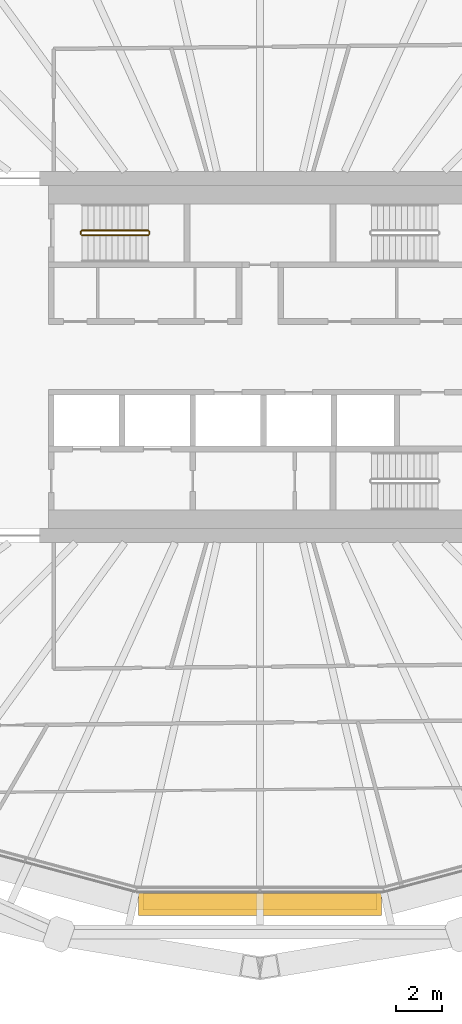
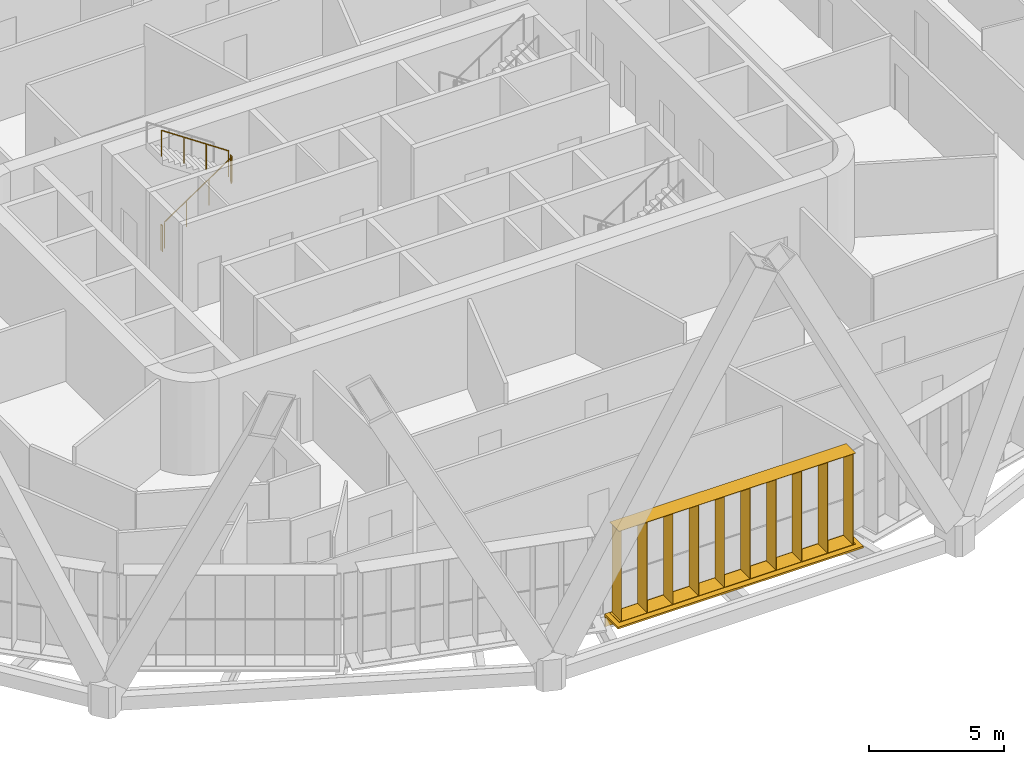
# One storey, part 21 of 25: 4 railings, 2 shading devices.
"""IFC4 building model written with IfcOpenShell, lengths in metres."""

from ifc_helpers import new_model, si_unit, direction, frame, origin, origin_2d, place, context, subcontext, project, spatial, rectangle, circle, extrude, material, type_object, element, save


model = new_model("IFC4")

# Units and contexts
model_context = context("Model", 3, precision=1e-05, world=origin(), true_north=direction((0.0, 1.0)))
body_context = subcontext(model_context, "Body", "Model", "MODEL_VIEW")
ifc_project = project(units=[si_unit("LENGTHUNIT", "METRE"), si_unit("AREAUNIT", "SQUARE_METRE"), si_unit("VOLUMEUNIT", "CUBIC_METRE"), si_unit("PLANEANGLEUNIT", "RADIAN"), si_unit("MASSUNIT", "GRAM", prefix="KILO")], contexts=[model_context])

# Site, building, storey
site_placement = place(None, origin())
site = spatial("IfcSite", under=ifc_project, at=site_placement, CompositionType="ELEMENT")
building_placement = place(site_placement, origin())
building = spatial("IfcBuilding", under=site, at=building_placement, Name="Sahrelin Media Tower", CompositionType="ELEMENT")
storey_placement = place(building_placement, frame((0.0, 0.0, 63.0)))
storey = spatial("IfcBuildingStorey", under=building, at=storey_placement, Name="L10", CompositionType="ELEMENT", Elevation=63.0)

# Shading device
ifc_material_1 = material(Name="Champagne anodised aluminium 6063-T6", Category="aluminium")
shading_device_type_1 = type_object("IfcShadingDeviceType", Name="Fin cassette", PredefinedType="USERDEFINED", material=ifc_material_1)
placement = place(storey_placement, frame((0.0, -23.077392578125, 0.0), z_axis=(0.0, 0.0, 1.0), x_axis=(-1.0, 0.0, 0.0)))
element("IfcShadingDevice", 1, at=placement, inside=storey, type_object=shading_device_type_1, Name="L10:FIN:L10-18", ObjectType="FIN", PredefinedType="USERDEFINED", context=body_context, shape_type="SweptSolid", body=[
    extrude(rectangle(XDim=10.10009765625, YDim=0.699951171875, at=origin_2d()), frame((0.0, 0.419921875, 0.0)), (0.0, 0.0, 1.0), 0.02001953125),
    extrude(rectangle(XDim=10.10009765625, YDim=0.699951171875, at=origin_2d()), frame((0.0, 0.419921875, 4.10009765625)), (0.0, 0.0, 1.0), 0.02001953125),
    extrude(rectangle(XDim=0.02001953125, YDim=0.699951171875, at=origin_2d()), frame((-4.949951171875, 0.419921875, 0.010009765625), z_axis=(0.0, 0.0, 1.0), x_axis=(1.0, 0.0, 0.0)), (0.0, 0.0, 1.0), 4.10009765625),
    extrude(rectangle(XDim=0.02001953125, YDim=0.699951171875, at=origin_2d()), frame((-3.85009765625, 0.419921875, 0.010009765625), z_axis=(0.0, 0.0, 1.0), x_axis=(1.0, 0.0, 0.0)), (0.0, 0.0, 1.0), 4.10009765625),
    extrude(rectangle(XDim=0.02001953125, YDim=0.699951171875, at=origin_2d()), frame((-2.75, 0.419921875, 0.010009765625), z_axis=(0.0, 0.0, 1.0), x_axis=(1.0, 0.0, 0.0)), (0.0, 0.0, 1.0), 4.10009765625),
    extrude(rectangle(XDim=0.02001953125, YDim=0.699951171875, at=origin_2d()), frame((-1.64990234375, 0.419921875, 0.010009765625), z_axis=(0.0, 0.0, 1.0), x_axis=(1.0, 0.0, 0.0)), (0.0, 0.0, 1.0), 4.10009765625),
    extrude(rectangle(XDim=0.02001953125, YDim=0.699951171875, at=origin_2d()), frame((-0.550048828125, 0.419921875, 0.010009765625), z_axis=(0.0, 0.0, 1.0), x_axis=(1.0, 0.0, 0.0)), (0.0, 0.0, 1.0), 4.10009765625),
    extrude(rectangle(XDim=0.02001953125, YDim=0.699951171875, at=origin_2d()), frame((0.550048828125, 0.419921875, 0.010009765625), z_axis=(0.0, 0.0, 1.0), x_axis=(1.0, 0.0, 0.0)), (0.0, 0.0, 1.0), 4.10009765625),
    extrude(rectangle(XDim=0.02001953125, YDim=0.699951171875, at=origin_2d()), frame((1.64990234375, 0.419921875, 0.010009765625), z_axis=(0.0, 0.0, 1.0), x_axis=(1.0, 0.0, 0.0)), (0.0, 0.0, 1.0), 4.10009765625),
    extrude(rectangle(XDim=0.02001953125, YDim=0.699951171875, at=origin_2d()), frame((2.75, 0.419921875, 0.010009765625), z_axis=(0.0, 0.0, 1.0), x_axis=(1.0, 0.0, 0.0)), (0.0, 0.0, 1.0), 4.10009765625),
    extrude(rectangle(XDim=0.02001953125, YDim=0.699951171875, at=origin_2d()), frame((3.85009765625, 0.419921875, 0.010009765625), z_axis=(0.0, 0.0, 1.0), x_axis=(1.0, 0.0, 0.0)), (0.0, 0.0, 1.0), 4.10009765625),
    extrude(rectangle(XDim=0.02001953125, YDim=0.699951171875, at=origin_2d()), frame((4.949951171875, 0.419921875, 0.010009765625), z_axis=(0.0, 0.0, 1.0), x_axis=(1.0, 0.0, 0.0)), (0.0, 0.0, 1.0), 4.10009765625),
])

# Railings
ifc_material_2 = material(Name="Steel S355", Category="steel")
railing_type = type_object("IfcRailingType", Name="Stair guard 1200", PredefinedType="GUARDRAIL", material=ifc_material_2)
railing_1_placement = place(storey_placement, frame((-7.675048828125, 5.25, 0.175048828125)))
element("IfcRailing", 2, at=railing_1_placement, inside=storey, type_object=railing_type, Name="L10 ST1 stair guard 1", PredefinedType="GUARDRAIL", context=body_context, shape_type="SweptSolid", body=[
    extrude(circle(Radius=0.02392578125, at=origin_2d()), frame((0.0, 0.0, 1.17578125), z_axis=(0.829590901723, 0.0, 0.558371682465), x_axis=(0.0, 1.0, 0.0)), (0.0, 0.0, 1.0), 3.447509765625),
    extrude(circle(Radius=0.02099609375, at=origin_2d()), origin(), (0.0, 0.0, 1.0), 1.15185546875),
    extrude(circle(Radius=0.02099609375, at=origin_2d()), frame((0.953369140625, 0.0, 0.6416015625)), (0.0, 0.0, 1.0), 1.15185546875),
    extrude(circle(Radius=0.02099609375, at=origin_2d()), frame((1.90673828125, 0.0, 1.283447265625)), (0.0, 0.0, 1.0), 1.15185546875),
    extrude(circle(Radius=0.02099609375, at=origin_2d()), frame((2.860107421875, 0.0, 1.925048828125)), (0.0, 0.0, 1.0), 1.15185546875),
])
railing_2_placement = place(storey_placement, frame((-4.764892578125, 5.300048828125, 2.10009765625)))
element("IfcRailing", 3, at=railing_2_placement, inside=storey, type_object=railing_type, Name="L10 ST1 stair guard 2", PredefinedType="GUARDRAIL", context=body_context, shape_type="SweptSolid", body=[
    extrude(circle(Radius=0.02392578125, at=origin_2d()), frame((0.0, 0.0, 1.17578125), z_axis=(0.0, 1.0, 0.0), x_axis=(-1.0, 0.0, 0.0)), (0.0, 0.0, 1.0), 0.099853515625),
    extrude(circle(Radius=0.02099609375, at=origin_2d()), origin(), (0.0, 0.0, 1.0), 1.15185546875),
    extrude(circle(Radius=0.02099609375, at=origin_2d()), frame((0.0, 0.099853515625, 0.0)), (0.0, 0.0, 1.0), 1.15185546875),
])
railing_3_placement = place(storey_placement, frame((-4.81494140625, 5.449951171875, 2.27490234375)))
element("IfcRailing", 4, at=railing_3_placement, inside=storey, type_object=railing_type, Name="L10 ST1 stair guard 3", PredefinedType="GUARDRAIL", context=body_context, shape_type="SweptSolid", body=[
    extrude(circle(Radius=0.02392578125, at=origin_2d()), frame((0.0, 0.0, 1.17578125), z_axis=(-0.829590901723, 0.0, 0.558371682465), x_axis=(0.0, -1.0, 0.0)), (0.0, 0.0, 1.0), 3.447509765625),
    extrude(circle(Radius=0.02099609375, at=origin_2d()), origin(), (0.0, 0.0, 1.0), 1.15185546875),
    extrude(circle(Radius=0.02099609375, at=origin_2d()), frame((-0.953369140625, 0.0, 0.6416015625)), (0.0, 0.0, 1.0), 1.15185546875),
    extrude(circle(Radius=0.02099609375, at=origin_2d()), frame((-1.90673828125, 0.0, 1.283447265625)), (0.0, 0.0, 1.0), 1.15185546875),
    extrude(circle(Radius=0.02099609375, at=origin_2d()), frame((-2.860107421875, 0.0, 1.925048828125)), (0.0, 0.0, 1.0), 1.15185546875),
])
railing_4_placement = place(storey_placement, frame((-7.72509765625, 5.300048828125, 0.0)))
element("IfcRailing", 5, at=railing_4_placement, inside=storey, type_object=railing_type, Name="L10 ST1 stair guard 4", PredefinedType="GUARDRAIL", context=body_context, shape_type="SweptSolid", body=[
    extrude(circle(Radius=0.02392578125, at=origin_2d()), frame((0.0, 0.0, 1.17578125), z_axis=(0.0, 1.0, 0.0), x_axis=(-1.0, 0.0, 0.0)), (0.0, 0.0, 1.0), 0.099853515625),
    extrude(circle(Radius=0.02099609375, at=origin_2d()), origin(), (0.0, 0.0, 1.0), 1.15185546875),
    extrude(circle(Radius=0.02099609375, at=origin_2d()), frame((0.0, 0.099853515625, 0.0)), (0.0, 0.0, 1.0), 1.15185546875),
])

# Shading device
shading_device_type_2 = type_object("IfcShadingDeviceType", Name="Sunshade band", PredefinedType="USERDEFINED", material=ifc_material_1)
element("IfcShadingDevice", 6, at=placement, inside=storey, type_object=shading_device_type_2, Name="L10:SUN:L10-18", ObjectType="SUNSHADE", PredefinedType="USERDEFINED", context=body_context, shape_type="SweptSolid", body=[
    extrude(rectangle(XDim=10.476806640625, YDim=0.050048828125, at=origin_2d()), frame((0.0, 0.044921875, -0.55126953125)), (0.0, 0.0, 1.0), 0.471435546875),
    extrude(rectangle(XDim=10.476806640625, YDim=1.0, at=origin_2d()), frame((0.0, 0.52001953125, -0.080078125)), (0.0, 0.0, 1.0), 0.080078125),
    extrude(rectangle(XDim=0.10009765625, YDim=0.074951171875, at=origin_2d()), frame((-5.138427734375, -0.017578125, -0.47021484375)), (0.0, 0.0, 1.0), 0.300048828125),
    extrude(rectangle(XDim=0.10009765625, YDim=0.074951171875, at=origin_2d()), frame((-3.425537109375, -0.017578125, -0.47021484375)), (0.0, 0.0, 1.0), 0.300048828125),
    extrude(rectangle(XDim=0.10009765625, YDim=0.074951171875, at=origin_2d()), frame((-1.712890625, -0.017578125, -0.47021484375)), (0.0, 0.0, 1.0), 0.300048828125),
    extrude(rectangle(XDim=0.10009765625, YDim=0.074951171875, at=origin_2d()), frame((0.0, -0.017578125, -0.47021484375)), (0.0, 0.0, 1.0), 0.300048828125),
    extrude(rectangle(XDim=0.10009765625, YDim=0.074951171875, at=origin_2d()), frame((1.712890625, -0.017578125, -0.47021484375)), (0.0, 0.0, 1.0), 0.300048828125),
    extrude(rectangle(XDim=0.10009765625, YDim=0.074951171875, at=origin_2d()), frame((3.425537109375, -0.017578125, -0.47021484375)), (0.0, 0.0, 1.0), 0.300048828125),
    extrude(rectangle(XDim=0.10009765625, YDim=0.074951171875, at=origin_2d()), frame((5.138427734375, -0.017578125, -0.47021484375)), (0.0, 0.0, 1.0), 0.300048828125),
])

save(model, "model.ifc")
